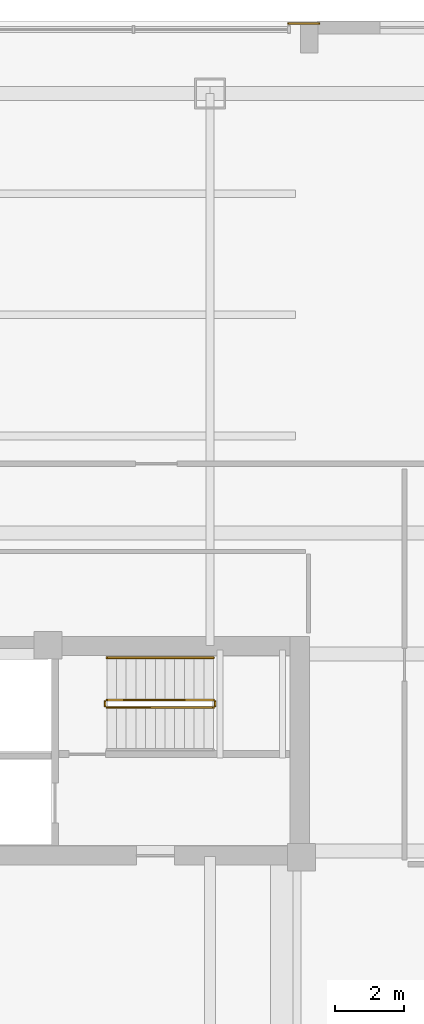
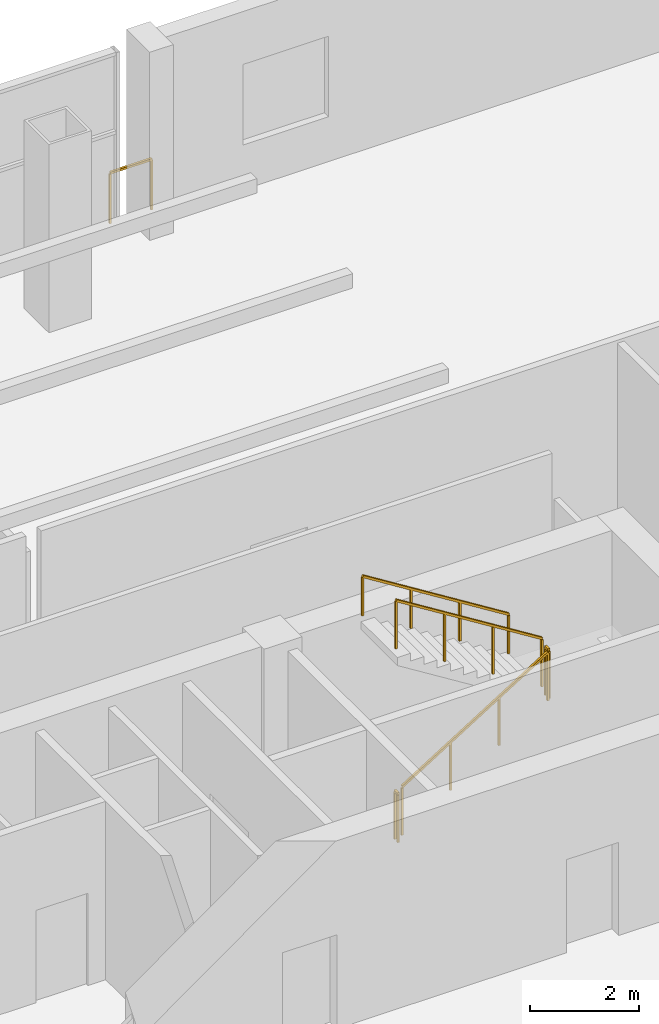
# One storey, part 20 of 21: 6 railings.
"""IFC4 building model written with IfcOpenShell, lengths in metres."""

from ifc_helpers import new_model, si_unit, direction, frame, origin, origin_2d, place, context, subcontext, project, spatial, rectangle, extrude, material, type_object, element, save


model = new_model("IFC4")

# Units and contexts
model_context = context("Model", 3, precision=1e-05, world=origin(), true_north=direction((0.0, 1.0)))
body_context = subcontext(model_context, "Body", "Model", "MODEL_VIEW")
ifc_project = project(units=[si_unit("LENGTHUNIT", "METRE"), si_unit("AREAUNIT", "SQUARE_METRE"), si_unit("VOLUMEUNIT", "CUBIC_METRE"), si_unit("PLANEANGLEUNIT", "RADIAN"), si_unit("MASSUNIT", "GRAM", prefix="KILO")], contexts=[model_context])

# Site, building, storey
site_placement = place(None, origin())
site = spatial("IfcSite", under=ifc_project, at=site_placement, CompositionType="ELEMENT")
building_placement = place(site_placement, origin())
building = spatial("IfcBuilding", under=site, at=building_placement, Name="Qhalaya Broadcast Tower", CompositionType="ELEMENT")
storey_placement = place(building_placement, frame((0.0, 0.0, 21.89990234375)))
storey = spatial("IfcBuildingStorey", under=building, at=storey_placement, Name="L05", CompositionType="ELEMENT", Elevation=21.89990234375)

# Railings
ifc_material = material(Name="Powder-Coated Galvanised Steel", Category="steel")
railing_type_1 = type_object("IfcRailingType", Name="Stair Wall Handrail 900", PredefinedType="HANDRAIL", material=ifc_material)
railing_1_placement = place(storey_placement, frame((6.830078125, 9.590087890625, 2.275146484375)))
element("IfcRailing", 1, at=railing_1_placement, inside=storey, type_object=railing_type_1, Name="L05 ST-1 Stair Handrail 2", PredefinedType="HANDRAIL", context=body_context, shape_type="SweptSolid", body=[
    extrude(rectangle(XDim=0.048095703125, YDim=0.048095703125, at=origin_2d()), frame((0.0, 0.0, 0.8759765625), z_axis=(-0.847998304005, 0.0, 0.529998940003), x_axis=(0.0, -1.0, 0.0)), (0.0, 0.0, 1.0), 3.632080078125),
    extrude(rectangle(XDim=0.0419921875, YDim=0.0419921875, at=origin_2d()), origin(), (0.0, 0.0, 1.0), 0.849853515625),
    extrude(rectangle(XDim=0.0419921875, YDim=0.0419921875, at=origin_2d()), frame((-1.026611328125, 0.0, 0.6416015625)), (0.0, 0.0, 1.0), 0.849853515625),
    extrude(rectangle(XDim=0.0419921875, YDim=0.0419921875, at=origin_2d()), frame((-2.053466796875, 0.0, 1.283447265625)), (0.0, 0.0, 1.0), 0.849853515625),
    extrude(rectangle(XDim=0.0419921875, YDim=0.0419921875, at=origin_2d()), frame((-3.080078125, 0.0, 1.925048828125)), (0.0, 0.0, 1.0), 0.849853515625),
])
railing_type_2 = type_object("IfcRailingType", Name="Stair Well & Landing Guardrail 1100", PredefinedType="GUARDRAIL", material=ifc_material)
railing_2_placement = place(storey_placement, frame((3.75, 8.14990234375, 0.175048828125)))
element("IfcRailing", 2, at=railing_2_placement, inside=storey, type_object=railing_type_2, Name="L05 ST-1 Stair Guard 1", PredefinedType="GUARDRAIL", context=body_context, shape_type="SweptSolid", body=[
    extrude(rectangle(XDim=0.048095703125, YDim=0.048095703125, at=origin_2d()), frame((0.0, 0.0, 1.076171875), z_axis=(0.847998304005, 0.0, 0.529998940003), x_axis=(0.0, 1.0, 0.0)), (0.0, 0.0, 1.0), 3.632080078125),
    extrude(rectangle(XDim=0.0419921875, YDim=0.0419921875, at=origin_2d()), origin(), (0.0, 0.0, 1.0), 1.050048828125),
    extrude(rectangle(XDim=0.0419921875, YDim=0.0419921875, at=origin_2d()), frame((1.026611328125, 0.0, 0.6416015625)), (0.0, 0.0, 1.0), 1.050048828125),
    extrude(rectangle(XDim=0.0419921875, YDim=0.0419921875, at=origin_2d()), frame((2.053466796875, 0.0, 1.283447265625)), (0.0, 0.0, 1.0), 1.050048828125),
    extrude(rectangle(XDim=0.0419921875, YDim=0.0419921875, at=origin_2d()), frame((3.080078125, 0.0, 1.925048828125)), (0.0, 0.0, 1.0), 1.050048828125),
])
railing_3_placement = place(storey_placement, frame((6.8798828125, 8.199951171875, 2.10009765625)))
element("IfcRailing", 3, at=railing_3_placement, inside=storey, type_object=railing_type_2, Name="L05 ST-1 Stair Guard 2", PredefinedType="GUARDRAIL", context=body_context, shape_type="SweptSolid", body=[
    extrude(rectangle(XDim=0.048095703125, YDim=0.048095703125, at=origin_2d()), frame((0.0, 0.0, 1.076171875), z_axis=(0.0, 1.0, 0.0), x_axis=(-1.0, 0.0, 0.0)), (0.0, 0.0, 1.0), 0.1201171875),
    extrude(rectangle(XDim=0.0419921875, YDim=0.0419921875, at=origin_2d()), origin(), (0.0, 0.0, 1.0), 1.050048828125),
    extrude(rectangle(XDim=0.0419921875, YDim=0.0419921875, at=origin_2d()), frame((0.0, 0.1201171875, 0.0)), (0.0, 0.0, 1.0), 1.050048828125),
])
railing_4_placement = place(storey_placement, frame((6.830078125, 8.3701171875, 2.275146484375)))
element("IfcRailing", 4, at=railing_4_placement, inside=storey, type_object=railing_type_2, Name="L05 ST-1 Stair Guard 3", PredefinedType="GUARDRAIL", context=body_context, shape_type="SweptSolid", body=[
    extrude(rectangle(XDim=0.048095703125, YDim=0.048095703125, at=origin_2d()), frame((0.0, 0.0, 1.076171875), z_axis=(-0.847998304005, 0.0, 0.529998940003), x_axis=(0.0, -1.0, 0.0)), (0.0, 0.0, 1.0), 3.632080078125),
    extrude(rectangle(XDim=0.0419921875, YDim=0.0419921875, at=origin_2d()), origin(), (0.0, 0.0, 1.0), 1.050048828125),
    extrude(rectangle(XDim=0.0419921875, YDim=0.0419921875, at=origin_2d()), frame((-1.026611328125, 0.0, 0.6416015625)), (0.0, 0.0, 1.0), 1.050048828125),
    extrude(rectangle(XDim=0.0419921875, YDim=0.0419921875, at=origin_2d()), frame((-2.053466796875, 0.0, 1.283447265625)), (0.0, 0.0, 1.0), 1.050048828125),
    extrude(rectangle(XDim=0.0419921875, YDim=0.0419921875, at=origin_2d()), frame((-3.080078125, 0.0, 1.925048828125)), (0.0, 0.0, 1.0), 1.050048828125),
])
railing_5_placement = place(storey_placement, frame((3.699951171875, 8.199951171875, 0.0)))
element("IfcRailing", 5, at=railing_5_placement, inside=storey, type_object=railing_type_2, Name="L05 ST-1 Stair Guard 4", PredefinedType="GUARDRAIL", context=body_context, shape_type="SweptSolid", body=[
    extrude(rectangle(XDim=0.048095703125, YDim=0.048095703125, at=origin_2d()), frame((0.0, 0.0, 1.076171875), z_axis=(0.0, 1.0, 0.0), x_axis=(-1.0, 0.0, 0.0)), (0.0, 0.0, 1.0), 0.1201171875),
    extrude(rectangle(XDim=0.0419921875, YDim=0.0419921875, at=origin_2d()), origin(), (0.0, 0.0, 1.0), 1.050048828125),
    extrude(rectangle(XDim=0.0419921875, YDim=0.0419921875, at=origin_2d()), frame((0.0, 0.1201171875, 0.0)), (0.0, 0.0, 1.0), 1.050048828125),
])
railing_type_3 = type_object("IfcRailingType", Name="Terrace, Sky-Pool & Lookout Glass Balustrade 1150", PredefinedType="BALUSTRADE", material=ifc_material)
railing_6_placement = place(storey_placement, frame((9.0, 27.919921875, 0.0)))
element("IfcRailing", 6, at=railing_6_placement, inside=storey, type_object=railing_type_3, Name="L05 Concourse Portal Shoulder Safety Balustrade PNE", PredefinedType="BALUSTRADE", context=body_context, shape_type="SweptSolid", body=[
    extrude(rectangle(XDim=0.048095703125, YDim=0.048095703125, at=origin_2d()), frame((0.0, 0.0, 1.1259765625), z_axis=(1.0, 0.0, 0.0), x_axis=(0.0, 1.0, 0.0)), (0.0, 0.0, 1.0), 0.8798828125),
    extrude(rectangle(XDim=0.0419921875, YDim=0.0419921875, at=origin_2d()), origin(), (0.0, 0.0, 1.0), 1.099853515625),
    extrude(rectangle(XDim=0.0419921875, YDim=0.0419921875, at=origin_2d()), frame((0.8798828125, 0.0, 0.0)), (0.0, 0.0, 1.0), 1.099853515625),
])

save(model, "model.ifc")
